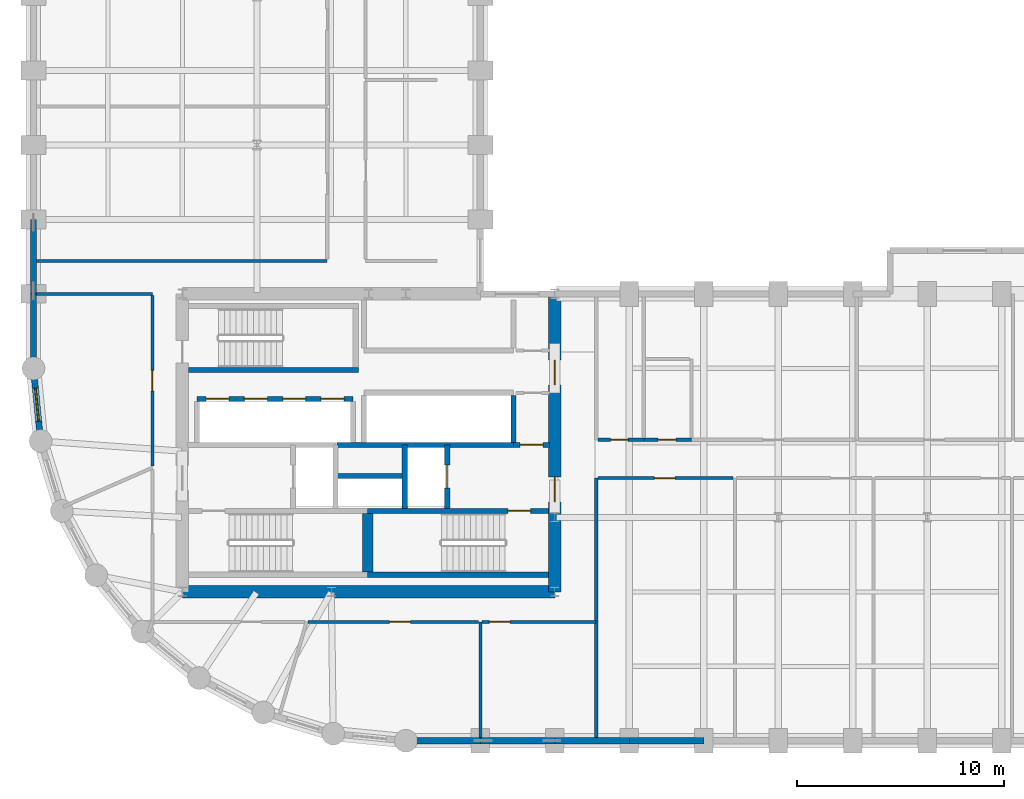
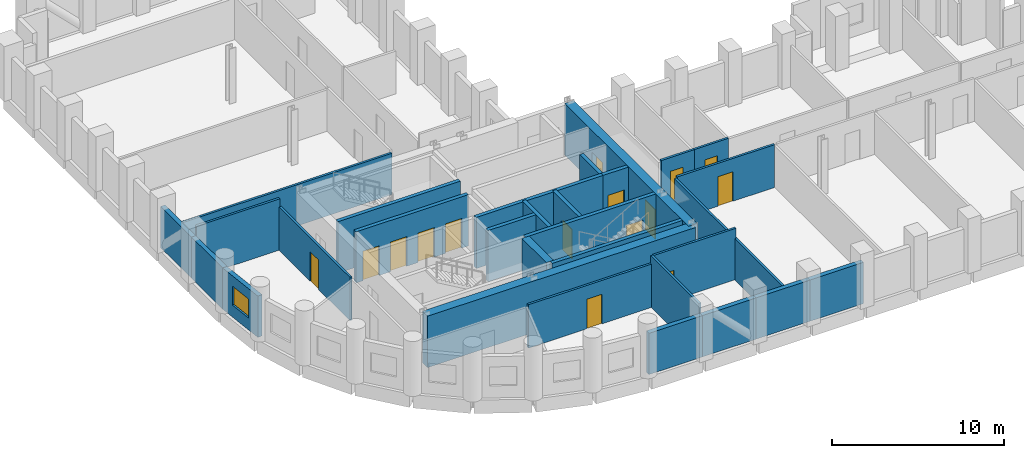
# One storey, part 4 of 8: 30 walls, 15 doors, 1 window, 16 openings.
"""IFC4 building model written with IfcOpenShell, lengths in metres."""

from ifc_helpers import new_model, si_unit, direction, frame, frame_2d, origin, place, context, subcontext, project, spatial, rectangle, extrude, material, layer, layer_set, type_object, element, fill, save


model = new_model("IFC4")

# Units and contexts
model_context = context("Model", 3, precision=1e-05, world=origin(), true_north=direction((0.0, 1.0)))
body_context = subcontext(model_context, "Body", "Model", "MODEL_VIEW")
ifc_project = project(units=[si_unit("LENGTHUNIT", "METRE"), si_unit("AREAUNIT", "SQUARE_METRE"), si_unit("VOLUMEUNIT", "CUBIC_METRE"), si_unit("PLANEANGLEUNIT", "RADIAN"), si_unit("MASSUNIT", "GRAM", prefix="KILO")], contexts=[model_context])

# Site, building, storey
site_placement = place(None, origin())
site = spatial("IfcSite", under=ifc_project, at=site_placement, CompositionType="ELEMENT")
building_placement = place(site_placement, origin())
building = spatial("IfcBuilding", under=site, at=building_placement, Name="Solnavia Interchange Tower", CompositionType="ELEMENT")
storey_placement = place(building_placement, frame((0.0, 0.0, 43.5)))
storey = spatial("IfcBuildingStorey", under=building, at=storey_placement, Name="L10", CompositionType="ELEMENT", Elevation=43.5)

# Walls
ifc_material_1 = material(Name="Concrete C40/50", Category="concrete")
ifc_layer_1 = layer(ifc_material_1, 0.300048828125)
ifc_layer_set_1 = layer_set([ifc_layer_1], Name="Concrete C40/50")
wall_type_1 = type_object("IfcWallType", Name="Wall-ExtSpandrel-300", PredefinedType="STANDARD", material=ifc_layer_set_1)
wall_1_placement = place(storey_placement, frame((28.800048828125, 3.60009765625, 0.0), z_axis=(0.0, 0.0, 1.0), x_axis=(-1.0, 0.0, 0.0)))
element("IfcWall", 1, at=wall_1_placement, inside=storey, type_object=wall_type_1, Name="EXW-L10-01 Exterior precast spandrel wall", PredefinedType="STANDARD", context=body_context, shape_type="SweptSolid", body=[
    extrude(rectangle(XDim=3.60009765625, YDim=0.300048828125, at=frame_2d((1.800048828125, 0.0))), origin(), (0.0, 0.0, 1.0), 2.929931640625),
])
wall_2_placement = place(storey_placement, frame((32.39990234375, 3.60009765625, 0.0), z_axis=(0.0, 0.0, 1.0), x_axis=(-1.0, 0.0, 0.0)))
element("IfcWall", 2, at=wall_2_placement, inside=storey, type_object=wall_type_1, Name="EXW-L10-02 Exterior precast spandrel wall", PredefinedType="STANDARD", context=body_context, shape_type="SweptSolid", body=[
    extrude(rectangle(XDim=3.599853515625, YDim=0.300048828125, at=frame_2d((1.7998046875, 0.0))), origin(), (0.0, 0.0, 1.0), 2.929931640625),
])
for number, where, z_axis, x_axis, name in (
    (3, (36.0, 3.60009765625, 0.0), (0.0, 0.0, 1.0), (-1.0, 0.0, 0.0), "EXW-L10-03 Exterior precast spandrel wall"),
    (4, (39.60009765625, 3.60009765625, 0.0), (0.0, 0.0, 1.0), (-1.0, 0.0, 0.0), "EXW-L10-04 Exterior precast spandrel wall"),
    (5, (7.199951171875, 25.199951171875, 0.0), (0.0, 0.0, 1.0), (0.0, 1.0, 0.0), "EXW-L10-57 Exterior precast spandrel wall"),
):
    element("IfcWall", number, at=place(storey_placement, frame(where, z_axis=z_axis, x_axis=x_axis)), inside=storey, type_object=wall_type_1, Name=name, PredefinedType="STANDARD", context=body_context, shape_type="SweptSolid", body=[
        extrude(rectangle(XDim=3.60009765625, YDim=0.300048828125, at=frame_2d((1.800048828125, 0.0))), origin(), (0.0, 0.0, 1.0), 2.929931640625),
    ])
wall_3_placement = place(storey_placement, frame((7.199951171875, 21.60009765625, 0.0), z_axis=(0.0, 0.0, 1.0), x_axis=(0.0, 1.0, 0.0)))
element("IfcWall", 6, at=wall_3_placement, inside=storey, type_object=wall_type_1, Name="EXW-L10-58 Exterior precast spandrel wall", PredefinedType="STANDARD", context=body_context, shape_type="SweptSolid", body=[
    extrude(rectangle(XDim=3.599853515625, YDim=0.300048828125, at=frame_2d((1.7998046875, 0.0))), origin(), (0.0, 0.0, 1.0), 2.929931640625),
])

# Wall, opening, window
wall_4_placement = place(storey_placement, frame((7.5458984375, 18.087890625, 0.0), z_axis=(0.0, 0.0, 1.0), x_axis=(-0.09802417461, 0.995184033831, 0.0)))
wall_4 = element("IfcWall", 7, at=wall_4_placement, inside=storey, type_object=wall_type_1, Name="EXW-L10-59 Exterior precast spandrel wall", PredefinedType="STANDARD", context=body_context, shape_type="SweptSolid", body=[
    extrude(rectangle(XDim=3.529296875, YDim=0.300048828125, at=frame_2d((1.7646484375, 0.0))), origin(), (0.0, 0.0, 1.0), 2.929931640625),
])
opening_1_placement = place(wall_4_placement, frame((0.965087890625, 0.0, 0.85009765625)))
opening_1 = element("IfcOpeningElement", 8, at=opening_1_placement, cuts=wall_4, Name="Opening WIN-04", PredefinedType="OPENING", context=body_context, shape_type="SweptSolid", body=[
    extrude(rectangle(XDim=1.60009765625, YDim=1.35009765625, at=frame_2d((0.800048828125, 0.675048828125))), frame((0.0, 0.16015625, 0.0), z_axis=(0.0, -1.0, 0.0), x_axis=(1.0, 0.0, 0.0)), (0.0, 0.0, 1.0), 0.320068359375),
])
ifc_material_2 = material(Name="Thermal-Break Aluminium & Low-E Glass", Category="aluminium")
window_type = type_object("IfcWindowType", Name="Window-Drum-1600x1350", PartitioningType="SINGLE_PANEL", PredefinedType="WINDOW", material=ifc_material_2)
window_placement = place(opening_1_placement, origin())
window = element("IfcWindow", 9, at=window_placement, inside=storey, type_object=window_type, Name="WIN-L10-59 Facade ribbon window", OverallHeight=1.35009765625, OverallWidth=1.60009765625, PartitioningType="SINGLE_PANEL", PredefinedType="WINDOW", context=body_context, shape_type="SweptSolid", body=[
    extrude(rectangle(XDim=1.60009765625, YDim=1.35009765625, at=frame_2d((0.800048828125, 0.675048828125))), frame((0.0, 0.030029296875, 0.0), z_axis=(0.0, -1.0, 0.0), x_axis=(1.0, 0.0, 0.0)), (0.0, 0.0, 1.0), 0.06005859375),
])
fill(opening_1, window)

# Walls
ifc_material_3 = material(Name="Gypsum Plasterboard & Steel Stud", Category="steel")
ifc_layer_2 = layer(ifc_material_3, 0.14990234375)
ifc_layer_set_2 = layer_set([ifc_layer_2], Name="Gypsum Plasterboard & Steel Stud")
wall_type_2 = type_object("IfcWallType", Name="Wall-Partition-150", PredefinedType="PARTITIONING", material=ifc_layer_set_2)
wall_5_placement = place(storey_placement, frame((7.35400390625, 25.199951171875, 0.0), z_axis=(0.0, 0.0, 1.0), x_axis=(1.0, 0.0, 0.0)))
element("IfcWall", 10, at=wall_5_placement, inside=storey, type_object=wall_type_2, Name="PTW-L10-07 Interior partition wall", PredefinedType="PARTITIONING", context=body_context, shape_type="SweptSolid", body=[
    extrude(rectangle(XDim=5.595947265625, YDim=0.14990234375, at=frame_2d((2.7978515625, 0.0))), origin(), (0.0, 0.0, 1.0), 3.635009765625),
])
wall_6_placement = place(storey_placement, frame((28.800048828125, 9.35009765625, 0.0), z_axis=(0.0, 0.0, 1.0), x_axis=(0.0, -1.0, 0.0)))
element("IfcWall", 11, at=wall_6_placement, inside=storey, type_object=wall_type_2, Name="PTW-L10-08 Interior partition wall", PredefinedType="PARTITIONING", context=body_context, shape_type="SweptSolid", body=[
    extrude(rectangle(XDim=5.59619140625, YDim=0.14990234375, at=frame_2d((2.798095703125, 0.0))), origin(), (0.0, 0.0, 1.0), 3.635009765625),
])

# Wall, opening, door
wall_7_placement = place(storey_placement, frame((12.949951171875, 16.87890625, 0.0), z_axis=(0.0, 0.0, 1.0), x_axis=(0.0, 1.0, 0.0)))
wall_7 = element("IfcWall", 12, at=wall_7_placement, inside=storey, type_object=wall_type_2, Name="PTW-L10-12 Interior partition wall", PredefinedType="PARTITIONING", context=body_context, shape_type="SweptSolid", body=[
    extrude(rectangle(XDim=8.2421875, YDim=0.14990234375, at=frame_2d((4.12109375, 0.0))), origin(), (0.0, 0.0, 1.0), 3.080078125),
])
opening_2_placement = place(wall_7_placement, frame((3.62109375, 0.0, 0.0)))
opening_2 = element("IfcOpeningElement", 13, at=opening_2_placement, cuts=wall_7, Name="Opening DR-07", PredefinedType="OPENING", context=body_context, shape_type="SweptSolid", body=[
    extrude(rectangle(XDim=1.0, YDim=2.10009765625, at=frame_2d((0.5, 1.050048828125))), frame((0.0, 0.0849609375, 0.0), z_axis=(0.0, -1.0, 0.0), x_axis=(1.0, 0.0, 0.0)), (0.0, 0.0, 1.0), 0.169921875),
])
ifc_material_4 = material(Name="Timber & Acoustic Glazed Office Door", Category="wood")
door_type_1 = type_object("IfcDoorType", Name="Door-Office-1000x2100", OperationType="SINGLE_SWING_RIGHT", PredefinedType="DOOR", material=ifc_material_4)
door_1_placement = place(opening_2_placement, origin())
door_1 = element("IfcDoor", 14, at=door_1_placement, inside=storey, type_object=door_type_1, Name="DR-L10-03 Interior room door", OperationType="SINGLE_SWING_LEFT", OverallHeight=2.10009765625, OverallWidth=1.0, PredefinedType="DOOR", context=body_context, shape_type="SweptSolid", body=[
    extrude(rectangle(XDim=1.0, YDim=2.10009765625, at=frame_2d((0.5, 1.050048828125))), frame((0.0, 0.02490234375, 0.0), z_axis=(0.0, -1.0, 0.0), x_axis=(1.0, 0.0, 0.0)), (0.0, 0.0, 1.0), 0.050048828125),
])
fill(opening_2, door_1)

wall_8_placement = place(storey_placement, frame((20.47900390625, 9.35009765625, 0.0), z_axis=(0.0, 0.0, 1.0), x_axis=(1.0, 0.0, 0.0)))
wall_8 = element("IfcWall", 15, at=wall_8_placement, inside=storey, type_object=wall_type_2, Name="PTW-L10-15 Interior partition wall", PredefinedType="PARTITIONING", context=body_context, shape_type="SweptSolid", body=[
    extrude(rectangle(XDim=8.241943359375, YDim=0.14990234375, at=frame_2d((4.12109375, 0.0))), origin(), (0.0, 0.0, 1.0), 3.080078125),
])
opening_3_placement = place(wall_8_placement, frame((3.93896484375, 0.0, 0.0)))
opening_3 = element("IfcOpeningElement", 16, at=opening_3_placement, cuts=wall_8, Name="Opening DR-07", PredefinedType="OPENING", context=body_context, shape_type="SweptSolid", body=[
    extrude(rectangle(XDim=1.0, YDim=2.10009765625, at=frame_2d((0.5, 1.050048828125))), frame((0.0, 0.0849609375, 0.0), z_axis=(0.0, -1.0, 0.0), x_axis=(1.0, 0.0, 0.0)), (0.0, 0.0, 1.0), 0.169921875),
])
door_2_placement = place(opening_3_placement, origin())
door_2 = element("IfcDoor", 17, at=door_2_placement, inside=storey, type_object=door_type_1, Name="DR-L10-06 Interior room door", OperationType="SINGLE_SWING_RIGHT", OverallHeight=2.10009765625, OverallWidth=1.0, PredefinedType="DOOR", context=body_context, shape_type="SweptSolid", body=[
    extrude(rectangle(XDim=1.0, YDim=2.10009765625, at=frame_2d((0.5, 1.050048828125))), frame((0.0, 0.02490234375, 0.0), z_axis=(0.0, -1.0, 0.0), x_axis=(1.0, 0.0, 0.0)), (0.0, 0.0, 1.0), 0.050048828125),
])
fill(opening_3, door_2)

wall_9_placement = place(storey_placement, frame((28.87890625, 9.35009765625, 0.0), z_axis=(0.0, 0.0, 1.0), x_axis=(1.0, 0.0, 0.0)))
wall_9 = element("IfcWall", 18, at=wall_9_placement, inside=storey, type_object=wall_type_2, Name="PTW-L10-16 Interior partition wall", PredefinedType="PARTITIONING", context=body_context, shape_type="SweptSolid", body=[
    extrude(rectangle(XDim=5.52099609375, YDim=0.14990234375, at=frame_2d((2.760498046875, 0.0))), origin(), (0.0, 0.0, 1.0), 3.635009765625),
])
opening_4_placement = place(wall_9_placement, frame((0.360107421875, 0.0, 0.0)))
opening_4 = element("IfcOpeningElement", 19, at=opening_4_placement, cuts=wall_9, Name="Opening DR-07", PredefinedType="OPENING", context=body_context, shape_type="SweptSolid", body=[
    extrude(rectangle(XDim=1.0, YDim=2.10009765625, at=frame_2d((0.5, 1.050048828125))), frame((0.0, 0.0849609375, 0.0), z_axis=(0.0, -1.0, 0.0), x_axis=(1.0, 0.0, 0.0)), (0.0, 0.0, 1.0), 0.169921875),
])
door_3_placement = place(opening_4_placement, origin())
door_3 = element("IfcDoor", 20, at=door_3_placement, inside=storey, type_object=door_type_1, Name="DR-L10-07 Interior room door", OperationType="SINGLE_SWING_LEFT", OverallHeight=2.10009765625, OverallWidth=1.0, PredefinedType="DOOR", context=body_context, shape_type="SweptSolid", body=[
    extrude(rectangle(XDim=1.0, YDim=2.10009765625, at=frame_2d((0.5, 1.050048828125))), frame((0.0, 0.02490234375, 0.0), z_axis=(0.0, -1.0, 0.0), x_axis=(1.0, 0.0, 0.0)), (0.0, 0.0, 1.0), 0.050048828125),
])
fill(opening_4, door_3)

# Wall
wall_10_placement = place(storey_placement, frame((34.39990234375, 3.75390625, 0.0), z_axis=(0.0, 0.0, 1.0), x_axis=(0.0, 1.0, 0.0)))
element("IfcWall", 21, at=wall_10_placement, inside=storey, type_object=wall_type_2, Name="PTW-L10-17 Interior partition wall", PredefinedType="PARTITIONING", context=body_context, shape_type="SweptSolid", body=[
    extrude(rectangle(XDim=12.546142578125, YDim=0.14990234375, at=frame_2d((6.27294921875, 0.0))), origin(), (0.0, 0.0, 1.0), 2.929931640625),
])

# Wall, opening, door
wall_11_placement = place(storey_placement, frame((34.47900390625, 16.300048828125, 0.0), z_axis=(0.0, 0.0, 1.0), x_axis=(1.0, 0.0, 0.0)))
wall_11 = element("IfcWall", 22, at=wall_11_placement, inside=storey, type_object=wall_type_2, Name="PTW-L10-19 Interior partition wall", PredefinedType="PARTITIONING", context=body_context, shape_type="SweptSolid", body=[
    extrude(rectangle(XDim=6.5419921875, YDim=0.14990234375, at=frame_2d((3.27099609375, 0.0))), origin(), (0.0, 0.0, 1.0), 3.0400390625),
])
opening_5_placement = place(wall_11_placement, frame((2.73095703125, 0.0, 0.0)))
opening_5 = element("IfcOpeningElement", 23, at=opening_5_placement, cuts=wall_11, Name="Opening DR-07", PredefinedType="OPENING", context=body_context, shape_type="SweptSolid", body=[
    extrude(rectangle(XDim=1.0, YDim=2.10009765625, at=frame_2d((0.5, 1.050048828125))), frame((0.0, 0.0849609375, 0.0), z_axis=(0.0, -1.0, 0.0), x_axis=(1.0, 0.0, 0.0)), (0.0, 0.0, 1.0), 0.169921875),
])
door_4_placement = place(opening_5_placement, origin())
door_4 = element("IfcDoor", 24, at=door_4_placement, inside=storey, type_object=door_type_1, Name="DR-L10-08 Interior room door", OperationType="SINGLE_SWING_LEFT", OverallHeight=2.10009765625, OverallWidth=1.0, PredefinedType="DOOR", context=body_context, shape_type="SweptSolid", body=[
    extrude(rectangle(XDim=1.0, YDim=2.10009765625, at=frame_2d((0.5, 1.050048828125))), frame((0.0, 0.02490234375, 0.0), z_axis=(0.0, -1.0, 0.0), x_axis=(1.0, 0.0, 0.0)), (0.0, 0.0, 1.0), 0.050048828125),
])
fill(opening_5, door_4)

# Walls
wall_12_placement = place(storey_placement, frame((7.35400390625, 26.800048828125, 0.0), z_axis=(0.0, 0.0, 1.0), x_axis=(1.0, 0.0, 0.0)))
element("IfcWall", 25, at=wall_12_placement, inside=storey, type_object=wall_type_2, Name="PTW-L10-30 Interior partition wall", PredefinedType="PARTITIONING", context=body_context, shape_type="SweptSolid", body=[
    extrude(rectangle(XDim=14.0458984375, YDim=0.14990234375, at=frame_2d((7.02294921875, 0.0))), origin(), (0.0, 0.0, 1.0), 2.929931640625),
])
ifc_layer_3 = layer(ifc_material_1, 0.25)
ifc_layer_set_3 = layer_set([ifc_layer_3], Name="Concrete C40/50")
wall_type_3 = type_object("IfcWallType", Name="Wall-ShaftCore-250", PredefinedType="SHEAR", material=ifc_layer_set_3)
wall_13_placement = place(storey_placement, frame((23.35009765625, 11.625, 0.0), z_axis=(0.0, 0.0, 1.0), x_axis=(1.0, 0.0, 0.0)))
element("IfcWall", 26, at=wall_13_placement, inside=storey, type_object=wall_type_3, Name="SHW-L10-ST2S Core shear wall", PredefinedType="SHEAR", context=body_context, shape_type="SweptSolid", body=[
    extrude(rectangle(XDim=8.75, YDim=0.25, at=frame_2d((4.375, 0.0))), origin(), (0.0, 0.0, 1.0), 3.64990234375),
])

# Wall, opening, door
wall_14_placement = place(storey_placement, frame((23.35009765625, 14.715087890625, 0.0), z_axis=(0.0, 0.0, 1.0), x_axis=(1.0, 0.0, 0.0)))
wall_14 = element("IfcWall", 27, at=wall_14_placement, inside=storey, type_object=wall_type_3, Name="SHW-L10-ST2N Core shear wall", PredefinedType="SHEAR", context=body_context, shape_type="SweptSolid", body=[
    extrude(rectangle(XDim=8.75, YDim=0.25, at=frame_2d((4.375, 0.0))), origin(), (0.0, 0.0, 1.0), 3.64990234375),
])
opening_6_placement = place(wall_14_placement, frame((6.77490234375, 0.0, 0.0)))
opening_6 = element("IfcOpeningElement", 28, at=opening_6_placement, cuts=wall_14, Name="Opening DR-01", PredefinedType="OPENING", context=body_context, shape_type="SweptSolid", body=[
    extrude(rectangle(XDim=1.10009765625, YDim=2.10009765625, at=frame_2d((0.550048828125, 1.050048828125))), frame((0.0, 0.135009765625, 0.0), z_axis=(0.0, -1.0, 0.0), x_axis=(1.0, 0.0, 0.0)), (0.0, 0.0, 1.0), 0.27001953125),
])
ifc_material_5 = material(Name="Steel Fire-Rated Leaf & Frame", Category="steel")
door_type_2 = type_object("IfcDoorType", Name="Door-StairFire-1100x2100", OperationType="SINGLE_SWING_LEFT", PredefinedType="DOOR", material=ifc_material_5)
door_5_placement = place(opening_6_placement, origin())
door_5 = element("IfcDoor", 29, at=door_5_placement, inside=storey, type_object=door_type_2, Name="DR-L10-ST2 Core fire door", OperationType="SINGLE_SWING_LEFT", OverallHeight=2.10009765625, OverallWidth=1.10009765625, PredefinedType="DOOR", context=body_context, shape_type="SweptSolid", body=[
    extrude(rectangle(XDim=1.10009765625, YDim=2.10009765625, at=frame_2d((0.550048828125, 1.050048828125))), frame((0.0, 0.02490234375, 0.0), z_axis=(0.0, -1.0, 0.0), x_axis=(1.0, 0.0, 0.0)), (0.0, 0.0, 1.0), 0.050048828125),
])
fill(opening_6, door_5)

# Walls
wall_15_placement = place(storey_placement, frame((14.699951171875, 21.52490234375, 0.0), z_axis=(0.0, 0.0, 1.0), x_axis=(1.0, 0.0, 0.0)))
element("IfcWall", 30, at=wall_15_placement, inside=storey, type_object=wall_type_3, Name="SHW-L10-ST3S Core shear wall", PredefinedType="SHEAR", context=body_context, shape_type="SweptSolid", body=[
    extrude(rectangle(XDim=8.199951171875, YDim=0.25, at=frame_2d((4.10009765625, 0.0))), origin(), (0.0, 0.0, 1.0), 3.64990234375),
])
ifc_layer_4 = layer(ifc_material_1, 0.25)
ifc_layer_set_4 = layer_set([ifc_layer_4], Name="Concrete C40/50")
wall_type_4 = type_object("IfcWallType", Name="Wall-ShaftPart-250", PredefinedType="PARTITIONING", material=ifc_layer_set_4)
wall_16_placement = place(storey_placement, frame((21.8798828125, 17.89990234375, 0.0), z_axis=(0.0, 0.0, 1.0), x_axis=(1.0, 0.0, 0.0)))
element("IfcWall", 31, at=wall_16_placement, inside=storey, type_object=wall_type_4, Name="SHW-L10-FFLE-N1 Core shaft wall", PredefinedType="PARTITIONING", context=body_context, shape_type="SweptSolid", body=[
    extrude(rectangle(XDim=8.52001953125, YDim=0.25, at=frame_2d((4.260009765625, 0.0))), origin(), (0.0, 0.0, 1.0), 3.635009765625),
])

# Wall, opening, door
wall_17_placement = place(storey_placement, frame((30.39990234375, 17.89990234375, 0.0), z_axis=(0.0, 0.0, 1.0), x_axis=(1.0, 0.0, 0.0)))
wall_17 = element("IfcWall", 32, at=wall_17_placement, inside=storey, type_object=wall_type_4, Name="SHW-L10-FFLE-N2 Core shaft wall", PredefinedType="PARTITIONING", context=body_context, shape_type="SweptSolid", body=[
    extrude(rectangle(XDim=1.75, YDim=0.25, at=frame_2d((0.875, 0.0))), origin(), (0.0, 0.0, 1.0), 3.635009765625),
])
opening_7_placement = place(wall_17_placement, frame((0.320068359375, 0.0, 0.0)))
opening_7 = element("IfcOpeningElement", 33, at=opening_7_placement, cuts=wall_17, Name="Opening DR-01", PredefinedType="OPENING", context=body_context, shape_type="SweptSolid", body=[
    extrude(rectangle(XDim=1.10009765625, YDim=2.10009765625, at=frame_2d((0.550048828125, 1.050048828125))), frame((0.0, 0.135009765625, 0.0), z_axis=(0.0, -1.0, 0.0), x_axis=(1.0, 0.0, 0.0)), (0.0, 0.0, 1.0), 0.27001953125),
])
door_6_placement = place(opening_7_placement, origin())
door_6 = element("IfcDoor", 34, at=door_6_placement, inside=storey, type_object=door_type_2, Name="DR-L10-LLC Core fire door", OperationType="SINGLE_SWING_LEFT", OverallHeight=2.10009765625, OverallWidth=1.10009765625, PredefinedType="DOOR", context=body_context, shape_type="SweptSolid", body=[
    extrude(rectangle(XDim=1.10009765625, YDim=2.10009765625, at=frame_2d((0.550048828125, 1.050048828125))), frame((0.0, 0.02490234375, 0.0), z_axis=(0.0, -1.0, 0.0), x_axis=(1.0, 0.0, 0.0)), (0.0, 0.0, 1.0), 0.050048828125),
])
fill(opening_7, door_6)

# Wall
wall_18_placement = place(storey_placement, frame((25.14990234375, 14.840087890625, 0.0), z_axis=(0.0, 0.0, 1.0), x_axis=(0.0, 1.0, 0.0)))
element("IfcWall", 35, at=wall_18_placement, inside=storey, type_object=wall_type_4, Name="SHW-L10-FFL2-W Core shaft wall", PredefinedType="PARTITIONING", context=body_context, shape_type="SweptSolid", body=[
    extrude(rectangle(XDim=3.059814453125, YDim=0.25, at=frame_2d((1.52978515625, 0.0))), origin(), (0.0, 0.0, 1.0), 3.635009765625),
])

# Wall, opening, door
wall_19_placement = place(storey_placement, frame((27.199951171875, 14.840087890625, 0.0), z_axis=(0.0, 0.0, 1.0), x_axis=(0.0, 1.0, 0.0)))
wall_19 = element("IfcWall", 36, at=wall_19_placement, inside=storey, type_object=wall_type_4, Name="SHW-L10-FFL2-E Core shaft wall", PredefinedType="PARTITIONING", context=body_context, shape_type="SweptSolid", body=[
    extrude(rectangle(XDim=3.059814453125, YDim=0.25, at=frame_2d((1.52978515625, 0.0))), origin(), (0.0, 0.0, 1.0), 3.635009765625),
])
opening_8_placement = place(wall_19_placement, frame((0.97998046875, 0.0, 0.0)))
opening_8 = element("IfcOpeningElement", 37, at=opening_8_placement, cuts=wall_19, Name="Opening LD-01", PredefinedType="OPENING", context=body_context, shape_type="SweptSolid", body=[
    extrude(rectangle(XDim=1.10009765625, YDim=2.10009765625, at=frame_2d((0.550048828125, 1.050048828125))), frame((0.0, 0.135009765625, 0.0), z_axis=(0.0, -1.0, 0.0), x_axis=(1.0, 0.0, 0.0)), (0.0, 0.0, 1.0), 0.27001953125),
])
ifc_material_6 = material(Name="Brushed Stainless Steel Sliding Door", Category="steel")
door_type_3 = type_object("IfcDoorType", Name="Door-LiftLanding-1100x2100", OperationType="SLIDING_TO_LEFT", PredefinedType="DOOR", material=ifc_material_6)
door_7_placement = place(opening_8_placement, origin())
door_7 = element("IfcDoor", 38, at=door_7_placement, inside=storey, type_object=door_type_3, Name="LD-L10-FFL2 Lift landing sliding door", OperationType="SLIDING_TO_LEFT", OverallHeight=2.10009765625, OverallWidth=1.10009765625, PredefinedType="DOOR", context=body_context, shape_type="SweptSolid", body=[
    extrude(rectangle(XDim=1.10009765625, YDim=2.10009765625, at=frame_2d((0.550048828125, 1.050048828125))), frame((0.0, 0.02490234375, 0.0), z_axis=(0.0, -1.0, 0.0), x_axis=(1.0, 0.0, 0.0)), (0.0, 0.0, 1.0), 0.050048828125),
])
fill(opening_8, door_7)

# Wall
wall_20_placement = place(storey_placement, frame((21.800048828125, 16.39990234375, 0.0), z_axis=(0.0, 0.0, 1.0), x_axis=(1.0, 0.0, 0.0)))
element("IfcWall", 39, at=wall_20_placement, inside=storey, type_object=wall_type_4, Name="SHW-L10-MEP-N Core shaft wall", PredefinedType="PARTITIONING", context=body_context, shape_type="SweptSolid", body=[
    extrude(rectangle(XDim=3.349853515625, YDim=0.25, at=frame_2d((1.6748046875, 0.0))), origin(), (0.0, 0.0, 1.0), 3.635009765625),
])

# Wall, openings, doors
wall_21_placement = place(storey_placement, frame((15.10009765625, 20.125, 0.0), z_axis=(0.0, 0.0, 1.0), x_axis=(1.0, 0.0, 0.0)))
wall_21 = element("IfcWall", 40, at=wall_21_placement, inside=storey, type_object=wall_type_4, Name="SHW-L10-B1N Core shaft wall", PredefinedType="PARTITIONING", context=body_context, shape_type="SweptSolid", body=[
    extrude(rectangle(XDim=7.5498046875, YDim=0.25, at=frame_2d((3.77490234375, 0.0))), origin(), (0.0, 0.0, 1.0), 3.635009765625),
])
opening_9_placement = place(wall_21_placement, frame((0.449951171875, 0.0, 0.0)))
opening_9 = element("IfcOpeningElement", 41, at=opening_9_placement, cuts=wall_21, Name="Opening LD-01", PredefinedType="OPENING", context=body_context, shape_type="SweptSolid", body=[
    extrude(rectangle(XDim=1.10009765625, YDim=2.10009765625, at=frame_2d((0.550048828125, 1.050048828125))), frame((0.0, 0.135009765625, 0.0), z_axis=(0.0, -1.0, 0.0), x_axis=(1.0, 0.0, 0.0)), (0.0, 0.0, 1.0), 0.27001953125),
])
opening_10_placement = place(wall_21_placement, frame((2.300048828125, 0.0, 0.0)))
opening_10 = element("IfcOpeningElement", 42, at=opening_10_placement, cuts=wall_21, Name="Opening LD-01", PredefinedType="OPENING", context=body_context, shape_type="SweptSolid", body=[
    extrude(rectangle(XDim=1.10009765625, YDim=2.10009765625, at=frame_2d((0.550048828125, 1.050048828125))), frame((0.0, 0.135009765625, 0.0), z_axis=(0.0, -1.0, 0.0), x_axis=(1.0, 0.0, 0.0)), (0.0, 0.0, 1.0), 0.27001953125),
])
opening_11_placement = place(wall_21_placement, frame((4.14990234375, 0.0, 0.0)))
opening_11 = element("IfcOpeningElement", 43, at=opening_11_placement, cuts=wall_21, Name="Opening LD-01", PredefinedType="OPENING", context=body_context, shape_type="SweptSolid", body=[
    extrude(rectangle(XDim=1.10009765625, YDim=2.10009765625, at=frame_2d((0.550048828125, 1.050048828125))), frame((0.0, 0.135009765625, 0.0), z_axis=(0.0, -1.0, 0.0), x_axis=(1.0, 0.0, 0.0)), (0.0, 0.0, 1.0), 0.27001953125),
])
opening_12_placement = place(wall_21_placement, frame((6.0, 0.0, 0.0)))
opening_12 = element("IfcOpeningElement", 44, at=opening_12_placement, cuts=wall_21, Name="Opening LD-01", PredefinedType="OPENING", context=body_context, shape_type="SweptSolid", body=[
    extrude(rectangle(XDim=1.10009765625, YDim=2.10009765625, at=frame_2d((0.550048828125, 1.050048828125))), frame((0.0, 0.135009765625, 0.0), z_axis=(0.0, -1.0, 0.0), x_axis=(1.0, 0.0, 0.0)), (0.0, 0.0, 1.0), 0.27001953125),
])
door_8_placement = place(opening_9_placement, origin())
door_8 = element("IfcDoor", 45, at=door_8_placement, inside=storey, type_object=door_type_3, Name="LD-L10-B1-1 Lift landing sliding door", OperationType="SLIDING_TO_LEFT", OverallHeight=2.10009765625, OverallWidth=1.10009765625, PredefinedType="DOOR", context=body_context, shape_type="SweptSolid", body=[
    extrude(rectangle(XDim=1.10009765625, YDim=2.10009765625, at=frame_2d((0.550048828125, 1.050048828125))), frame((0.0, 0.02490234375, 0.0), z_axis=(0.0, -1.0, 0.0), x_axis=(1.0, 0.0, 0.0)), (0.0, 0.0, 1.0), 0.050048828125),
])
fill(opening_9, door_8)
door_9_placement = place(opening_10_placement, origin())
door_9 = element("IfcDoor", 46, at=door_9_placement, inside=storey, type_object=door_type_3, Name="LD-L10-B1-2 Lift landing sliding door", OperationType="SLIDING_TO_LEFT", OverallHeight=2.10009765625, OverallWidth=1.10009765625, PredefinedType="DOOR", context=body_context, shape_type="SweptSolid", body=[
    extrude(rectangle(XDim=1.10009765625, YDim=2.10009765625, at=frame_2d((0.550048828125, 1.050048828125))), frame((0.0, 0.02490234375, 0.0), z_axis=(0.0, -1.0, 0.0), x_axis=(1.0, 0.0, 0.0)), (0.0, 0.0, 1.0), 0.050048828125),
])
fill(opening_10, door_9)
door_10_placement = place(opening_11_placement, origin())
door_10 = element("IfcDoor", 47, at=door_10_placement, inside=storey, type_object=door_type_3, Name="LD-L10-B1-3 Lift landing sliding door", OperationType="SLIDING_TO_LEFT", OverallHeight=2.10009765625, OverallWidth=1.10009765625, PredefinedType="DOOR", context=body_context, shape_type="SweptSolid", body=[
    extrude(rectangle(XDim=1.10009765625, YDim=2.10009765625, at=frame_2d((0.550048828125, 1.050048828125))), frame((0.0, 0.02490234375, 0.0), z_axis=(0.0, -1.0, 0.0), x_axis=(1.0, 0.0, 0.0)), (0.0, 0.0, 1.0), 0.050048828125),
])
fill(opening_11, door_10)
door_11_placement = place(opening_12_placement, origin())
door_11 = element("IfcDoor", 48, at=door_11_placement, inside=storey, type_object=door_type_3, Name="LD-L10-B1-4 Lift landing sliding door", OperationType="SLIDING_TO_LEFT", OverallHeight=2.10009765625, OverallWidth=1.10009765625, PredefinedType="DOOR", context=body_context, shape_type="SweptSolid", body=[
    extrude(rectangle(XDim=1.10009765625, YDim=2.10009765625, at=frame_2d((0.550048828125, 1.050048828125))), frame((0.0, 0.02490234375, 0.0), z_axis=(0.0, -1.0, 0.0), x_axis=(1.0, 0.0, 0.0)), (0.0, 0.0, 1.0), 0.050048828125),
])
fill(opening_12, door_11)

# Walls
wall_22_placement = place(storey_placement, frame((30.39990234375, 18.02490234375, 0.0), z_axis=(0.0, 0.0, 1.0), x_axis=(0.0, 1.0, 0.0)))
element("IfcWall", 49, at=wall_22_placement, inside=storey, type_object=wall_type_4, Name="SHW-L10-B2E Core shaft wall", PredefinedType="PARTITIONING", context=body_context, shape_type="SweptSolid", body=[
    extrude(rectangle(XDim=2.27001953125, YDim=0.25, at=frame_2d((1.135009765625, 0.0))), origin(), (0.0, 0.0, 1.0), 3.635009765625),
])
ifc_material_7 = material(Name="Concrete C60/75", Category="concrete")
ifc_layer_5 = layer(ifc_material_7, 0.5)
ifc_layer_set_5 = layer_set([ifc_layer_5], Name="Concrete C60/75")
wall_type_5 = type_object("IfcWallType", Name="Wall-ShearCore-500", PredefinedType="SHEAR", material=ifc_layer_set_5)
wall_23_placement = place(storey_placement, frame((23.35009765625, 11.75, 0.0), z_axis=(0.0, 0.0, 1.0), x_axis=(0.0, 1.0, 0.0)))
element("IfcWall", 50, at=wall_23_placement, inside=storey, type_object=wall_type_5, Name="SHW-L10-ST12M Core shear wall", PredefinedType="SHEAR", context=body_context, shape_type="SweptSolid", body=[
    extrude(rectangle(XDim=2.840087890625, YDim=0.5, at=frame_2d((1.419921875, 0.0))), origin(), (0.0, 0.0, 1.0), 3.64990234375),
])
ifc_layer_6 = layer(ifc_material_7, 0.60009765625)
ifc_layer_set_6 = layer_set([ifc_layer_6], Name="Concrete C60/75")
wall_type_6 = type_object("IfcWallType", Name="Wall-ShearCore-600", PredefinedType="SHEAR", material=ifc_layer_set_6)
wall_24_placement = place(storey_placement, frame((14.39990234375, 10.800048828125, 0.0), z_axis=(0.0, 0.0, 1.0), x_axis=(1.0, 0.0, 0.0)))
element("IfcWall", 51, at=wall_24_placement, inside=storey, type_object=wall_type_6, Name="CRW-L10-S Core shear wall", PredefinedType="SHEAR", context=body_context, shape_type="SweptSolid", body=[
    extrude(rectangle(XDim=18.0, YDim=0.60009765625, at=frame_2d((9.0, 0.0))), origin(), (0.0, 0.0, 1.0), 3.64990234375),
])

# Wall, openings, doors
wall_25_placement = place(storey_placement, frame((32.39990234375, 10.800048828125, 0.0), z_axis=(0.0, 0.0, 1.0), x_axis=(0.0, 1.0, 0.0)))
wall_25 = element("IfcWall", 52, at=wall_25_placement, inside=storey, type_object=wall_type_6, Name="CRW-L10-E Core shear wall", PredefinedType="SHEAR", context=body_context, shape_type="SweptSolid", body=[
    extrude(rectangle(XDim=14.39990234375, YDim=0.60009765625, at=frame_2d((7.199951171875, 0.0))), origin(), (0.0, 0.0, 1.0), 3.64990234375),
])
opening_13_placement = place(wall_25_placement, frame((4.35009765625, 0.0, 0.0)))
opening_13 = element("IfcOpeningElement", 53, at=opening_13_placement, cuts=wall_25, Name="Opening DR-02", PredefinedType="OPENING", context=body_context, shape_type="SweptSolid", body=[
    extrude(rectangle(XDim=1.199951171875, YDim=2.10009765625, at=frame_2d((0.60009765625, 1.050048828125))), frame((0.0, 0.31005859375, 0.0), z_axis=(0.0, -1.0, 0.0), x_axis=(1.0, 0.0, 0.0)), (0.0, 0.0, 1.0), 0.6201171875),
])
opening_14_placement = place(wall_25_placement, frame((10.0, 0.0, 0.0)))
opening_14 = element("IfcOpeningElement", 54, at=opening_14_placement, cuts=wall_25, Name="Opening DR-02", PredefinedType="OPENING", context=body_context, shape_type="SweptSolid", body=[
    extrude(rectangle(XDim=1.199951171875, YDim=2.10009765625, at=frame_2d((0.60009765625, 1.050048828125))), frame((0.0, 0.31005859375, 0.0), z_axis=(0.0, -1.0, 0.0), x_axis=(1.0, 0.0, 0.0)), (0.0, 0.0, 1.0), 0.6201171875),
])
ifc_material_8 = material(Name="Steel Fire-Rated Vision-Panel Door", Category="steel")
door_type_4 = type_object("IfcDoorType", Name="Door-LobbyFire-1200x2100", OperationType="SINGLE_SWING_RIGHT", PredefinedType="DOOR", material=ifc_material_8)
door_12_placement = place(opening_13_placement, origin())
door_12 = element("IfcDoor", 55, at=door_12_placement, inside=storey, type_object=door_type_4, Name="DR-L10-FFL2E Core fire door", OperationType="SINGLE_SWING_LEFT", OverallHeight=2.10009765625, OverallWidth=1.199951171875, PredefinedType="DOOR", context=body_context, shape_type="SweptSolid", body=[
    extrude(rectangle(XDim=1.199951171875, YDim=2.10009765625, at=frame_2d((0.60009765625, 1.050048828125))), frame((0.0, 0.02490234375, 0.0), z_axis=(0.0, -1.0, 0.0), x_axis=(1.0, 0.0, 0.0)), (0.0, 0.0, 1.0), 0.050048828125),
])
fill(opening_13, door_12)
door_13_placement = place(opening_14_placement, origin())
door_13 = element("IfcDoor", 56, at=door_13_placement, inside=storey, type_object=door_type_4, Name="DR-L10-LLE Core fire door", OperationType="SINGLE_SWING_RIGHT", OverallHeight=2.10009765625, OverallWidth=1.199951171875, PredefinedType="DOOR", context=body_context, shape_type="SweptSolid", body=[
    extrude(rectangle(XDim=1.199951171875, YDim=2.10009765625, at=frame_2d((0.60009765625, 1.050048828125))), frame((0.0, 0.02490234375, 0.0), z_axis=(0.0, -1.0, 0.0), x_axis=(1.0, 0.0, 0.0)), (0.0, 0.0, 1.0), 0.050048828125),
])
fill(opening_14, door_13)

# Wall, opening, door
ifc_material_9 = material(Name="Moisture-Resistant Gypsum & Steel Stud", Category="steel")
ifc_layer_7 = layer(ifc_material_9, 0.14990234375)
ifc_layer_set_7 = layer_set([ifc_layer_7], Name="Moisture-Resistant Gypsum & Steel Stud")
wall_type_7 = type_object("IfcWallType", Name="Wall-WetRoom-150", PredefinedType="PARTITIONING", material=ifc_layer_set_7)
wall_26_placement = place(storey_placement, frame((34.47900390625, 18.14990234375, 0.0), z_axis=(0.0, 0.0, 1.0), x_axis=(1.0, 0.0, 0.0)))
wall_26 = element("IfcWall", 57, at=wall_26_placement, inside=storey, type_object=wall_type_7, Name="PTW-L10-02 Interior partition wall", PredefinedType="PARTITIONING", context=body_context, shape_type="SweptSolid", body=[
    extrude(rectangle(XDim=2.220947265625, YDim=0.14990234375, at=frame_2d((1.1103515625, 0.0))), origin(), (0.0, 0.0, 1.0), 3.080078125),
])
opening_15_placement = place(wall_26_placement, frame((0.617919921875, 0.0, 0.0)))
opening_15 = element("IfcOpeningElement", 58, at=opening_15_placement, cuts=wall_26, Name="Opening DR-10", PredefinedType="OPENING", context=body_context, shape_type="SweptSolid", body=[
    extrude(rectangle(XDim=0.85009765625, YDim=2.10009765625, at=frame_2d((0.425048828125, 1.050048828125))), frame((0.0, 0.0849609375, 0.0), z_axis=(0.0, -1.0, 0.0), x_axis=(1.0, 0.0, 0.0)), (0.0, 0.0, 1.0), 0.169921875),
])
ifc_material_10 = material(Name="Moisture-Resistant Timber Door", Category="wood")
door_type_5 = type_object("IfcDoorType", Name="Door-Bathroom-850x2100", OperationType="SINGLE_SWING_RIGHT", PredefinedType="DOOR", material=ifc_material_10)
door_14_placement = place(opening_15_placement, origin())
door_14 = element("IfcDoor", 59, at=door_14_placement, inside=storey, type_object=door_type_5, Name="DR-L10-01 Interior room door", OperationType="SINGLE_SWING_LEFT", OverallHeight=2.10009765625, OverallWidth=0.85009765625, PredefinedType="DOOR", context=body_context, shape_type="SweptSolid", body=[
    extrude(rectangle(XDim=0.85009765625, YDim=2.10009765625, at=frame_2d((0.425048828125, 1.050048828125))), frame((0.0, 0.02490234375, 0.0), z_axis=(0.0, -1.0, 0.0), x_axis=(1.0, 0.0, 0.0)), (0.0, 0.0, 1.0), 0.050048828125),
])
fill(opening_15, door_14)

wall_27_placement = place(storey_placement, frame((36.699951171875, 18.14990234375, 0.0), z_axis=(0.0, 0.0, 1.0), x_axis=(1.0, 0.0, 0.0)))
wall_27 = element("IfcWall", 60, at=wall_27_placement, inside=storey, type_object=wall_type_7, Name="PTW-L10-04 Interior partition wall", PredefinedType="PARTITIONING", context=body_context, shape_type="SweptSolid", body=[
    extrude(rectangle(XDim=2.300048828125, YDim=0.14990234375, at=frame_2d((1.14990234375, 0.0))), origin(), (0.0, 0.0, 1.0), 3.080078125),
])
opening_16_placement = place(wall_27_placement, frame((0.697021484375, 0.0, 0.0)))
opening_16 = element("IfcOpeningElement", 61, at=opening_16_placement, cuts=wall_27, Name="Opening DR-10", PredefinedType="OPENING", context=body_context, shape_type="SweptSolid", body=[
    extrude(rectangle(XDim=0.85009765625, YDim=2.10009765625, at=frame_2d((0.425048828125, 1.050048828125))), frame((0.0, 0.0849609375, 0.0), z_axis=(0.0, -1.0, 0.0), x_axis=(1.0, 0.0, 0.0)), (0.0, 0.0, 1.0), 0.169921875),
])
door_15_placement = place(opening_16_placement, origin())
door_15 = element("IfcDoor", 62, at=door_15_placement, inside=storey, type_object=door_type_5, Name="DR-L10-02 Interior room door", OperationType="SINGLE_SWING_RIGHT", OverallHeight=2.10009765625, OverallWidth=0.85009765625, PredefinedType="DOOR", context=body_context, shape_type="SweptSolid", body=[
    extrude(rectangle(XDim=0.85009765625, YDim=2.10009765625, at=frame_2d((0.425048828125, 1.050048828125))), frame((0.0, 0.02490234375, 0.0), z_axis=(0.0, -1.0, 0.0), x_axis=(1.0, 0.0, 0.0)), (0.0, 0.0, 1.0), 0.050048828125),
])
fill(opening_16, door_15)

save(model, "model.ifc")
